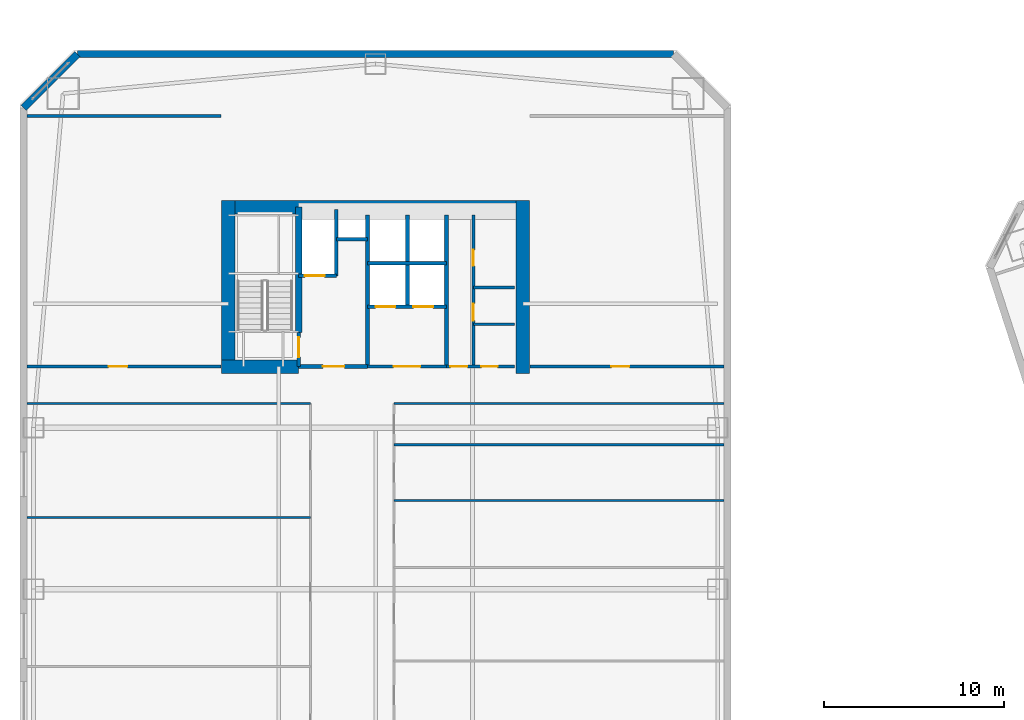
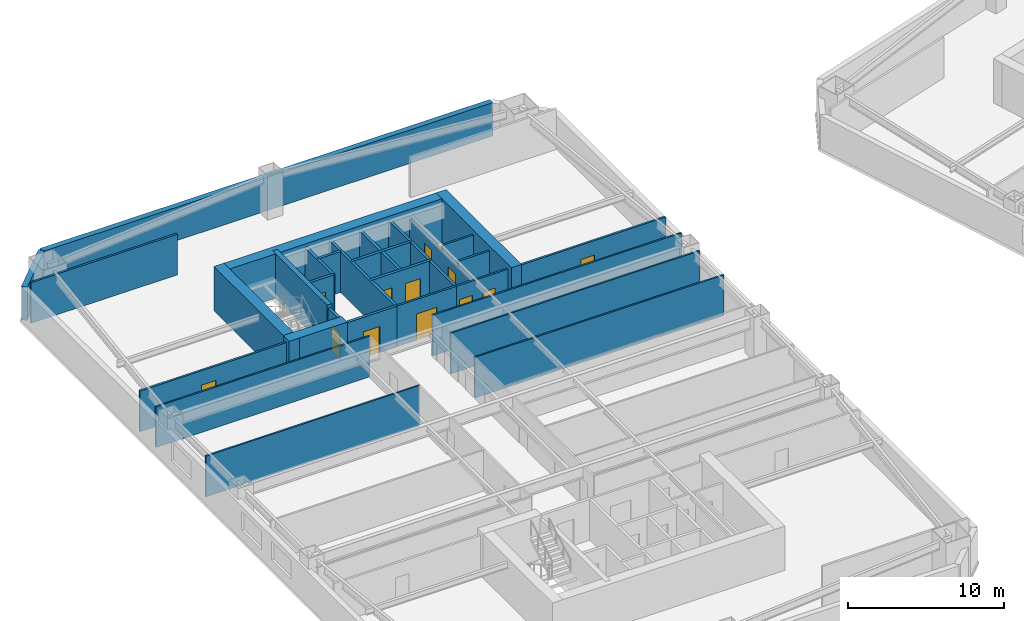
# One storey, part 12 of 19: 30 walls, 12 doors, 12 openings.
"""IFC4 building model written with IfcOpenShell, lengths in metres."""

from ifc_helpers import new_model, si_unit, direction, frame, frame_2d, origin, place, context, subcontext, project, spatial, rectangle, extrude, material, layer, layer_set, type_object, element, fill, save


model = new_model("IFC4")

# Units and contexts
model_context = context("Model", 3, precision=1e-05, world=origin(), true_north=direction((0.0, 1.0)))
body_context = subcontext(model_context, "Body", "Model", "MODEL_VIEW")
ifc_project = project(units=[si_unit("LENGTHUNIT", "METRE"), si_unit("AREAUNIT", "SQUARE_METRE"), si_unit("VOLUMEUNIT", "CUBIC_METRE"), si_unit("PLANEANGLEUNIT", "RADIAN"), si_unit("MASSUNIT", "GRAM", prefix="KILO")], contexts=[model_context])

# Site, building, storey
site_placement = place(None, origin())
site = spatial("IfcSite", under=ifc_project, at=site_placement, CompositionType="ELEMENT")
building_placement = place(site_placement, origin())
building = spatial("IfcBuilding", under=site, at=building_placement, Name="Qiaolan Cultural Towers", CompositionType="ELEMENT")
storey_placement = place(building_placement, frame((0.0, 0.0, 54.050048828125)))
storey = spatial("IfcBuildingStorey", under=building, at=storey_placement, Name="L12", CompositionType="ELEMENT", Elevation=54.050048828125)

# Walls
ifc_material_1 = material(Name="Concrete C50", Category="concrete")
ifc_layer_1 = layer(ifc_material_1, 0.35009765625)
ifc_layer_set_1 = layer_set([ifc_layer_1], Name="Concrete C50")
wall_type_1 = type_object("IfcWallType", Name="WL-CORE-350", PredefinedType="SHEAR", material=ifc_layer_set_1)
wall_1_placement = place(storey_placement, frame((25.719970703125, 48.300048828125, 0.0), z_axis=(0.0, 0.0, 1.0), x_axis=(0.0, 1.0, 0.0)))
element("IfcWall", 1, at=wall_1_placement, inside=storey, type_object=wall_type_1, Name="L12 T1-CN Stair Core Dividing Web", PredefinedType="SHEAR", context=body_context, shape_type="SweptSolid", body=[
    extrude(rectangle(XDim=6.97998046875, YDim=0.35009765625, at=frame_2d((3.489990234375, 0.0))), origin(), (0.0, 0.0, 1.0), 3.449951171875),
])
ifc_material_2 = material(Name="Concrete C60", Category="concrete")
ifc_layer_2 = layer(ifc_material_2, 0.75)
ifc_layer_set_2 = layer_set([ifc_layer_2], Name="Concrete C60")
wall_type_2 = type_object("IfcWallType", Name="WL-CORE-750", PredefinedType="SHEAR", material=ifc_layer_set_2)
wall_2_placement = place(storey_placement, frame((21.425048828125, 55.280029296875, 0.0), z_axis=(0.0, 0.0, 1.0), x_axis=(1.0, 0.0, 0.0)))
element("IfcWall", 2, at=wall_2_placement, inside=storey, type_object=wall_type_2, Name="L12 T1-CN Outer Core Shear Wall", PredefinedType="SHEAR", context=body_context, shape_type="SweptSolid", body=[
    extrude(rectangle(XDim=17.14990234375, YDim=0.75, at=frame_2d((8.574951171875, 0.0))), origin(), (0.0, 0.0, 1.0), 3.449951171875),
])
for number, where, z_axis, x_axis, name in (
    (3, (21.800048828125, 46.02490234375, 0.0), (0.0, 0.0, 1.0), (0.0, 1.0, 0.0), "L12 T1-CN West Core Shear Wall"),
    (4, (38.199951171875, 46.02490234375, 0.0), (0.0, 0.0, 1.0), (0.0, 1.0, 0.0), "L12 T1-CN East Core Shear Wall"),
):
    element("IfcWall", number, at=place(storey_placement, frame(where, z_axis=z_axis, x_axis=x_axis)), inside=storey, type_object=wall_type_2, Name=name, PredefinedType="SHEAR", context=body_context, shape_type="SweptSolid", body=[
        extrude(rectangle(XDim=9.630126953125, YDim=0.75, at=frame_2d((4.81494140625, 0.0))), origin(), (0.0, 0.0, 1.0), 3.449951171875),
    ])
wall_3_placement = place(storey_placement, frame((21.425048828125, 46.39990234375, 0.0), z_axis=(0.0, 0.0, 1.0), x_axis=(1.0, 0.0, 0.0)))
element("IfcWall", 5, at=wall_3_placement, inside=storey, type_object=wall_type_2, Name="L12 T1-CN Stair Front Shear Wall", PredefinedType="SHEAR", context=body_context, shape_type="SweptSolid", body=[
    extrude(rectangle(XDim=4.294921875, YDim=0.75, at=frame_2d((2.1474609375, 0.0))), origin(), (0.0, 0.0, 1.0), 3.449951171875),
])
ifc_material_3 = material(Name="Precast Concrete C50 Honed Stone Pier", Category="masonry")
ifc_layer_3 = layer(ifc_material_3, 0.39990234375)
ifc_layer_set_3 = layer_set([ifc_layer_3], Name="Precast Concrete C50 Honed Stone Pier")
wall_type_3 = type_object("IfcWallType", Name="WL-EXT-PIER-400", PredefinedType="SOLIDWALL", material=ifc_layer_set_3)
wall_4_placement = place(storey_placement, frame((10.39990234375, 60.800048828125, 0.0), z_axis=(0.0, 0.0, 1.0), x_axis=(0.707106781187, 0.707106781187, 0.0)))
element("IfcWall", 6, at=wall_4_placement, inside=storey, type_object=wall_type_3, Name="L12 West Tower Precast Pier Facade Wall F2", PredefinedType="SOLIDWALL", context=body_context, shape_type="SweptSolid", body=[
    extrude(rectangle(XDim=4.24267578125, YDim=0.39990234375, at=frame_2d((2.121337890625, 0.0))), origin(), (0.0, 0.0, 1.0), 2.60986328125),
])
wall_5_placement = place(storey_placement, frame((13.39990234375, 63.800048828125, 0.0), z_axis=(0.0, 0.0, 1.0), x_axis=(1.0, 0.0, 0.0)))
element("IfcWall", 7, at=wall_5_placement, inside=storey, type_object=wall_type_3, Name="L12 West Tower Precast Pier Facade Wall F3", PredefinedType="SOLIDWALL", context=body_context, shape_type="SweptSolid", body=[
    extrude(rectangle(XDim=33.2001953125, YDim=0.39990234375, at=frame_2d((16.60009765625, 0.0))), origin(), (0.0, 0.0, 1.0), 2.60986328125),
])

# Wall, opening, door
ifc_material_4 = material(Name="Concrete C35 Fire Wall", Category="concrete")
ifc_layer_4 = layer(ifc_material_4, 0.199951171875)
ifc_layer_set_4 = layer_set([ifc_layer_4], Name="Concrete C35 Fire Wall")
wall_type_4 = type_object("IfcWallType", Name="WL-FIRE-200", PredefinedType="PARTITIONING", material=ifc_layer_set_4)
wall_6_placement = place(storey_placement, frame((25.719970703125, 46.39990234375, 0.0), z_axis=(0.0, 0.0, 1.0), x_axis=(0.0, 1.0, 0.0)))
wall_6 = element("IfcWall", 8, at=wall_6_placement, inside=storey, type_object=wall_type_4, Name="L12 T1-CN Smokeproof Stair Entry Wall", PredefinedType="PARTITIONING", context=body_context, shape_type="SweptSolid", body=[
    extrude(rectangle(XDim=1.900146484375, YDim=0.199951171875, at=frame_2d((0.9501953125, 0.0))), origin(), (0.0, 0.0, 1.0), 3.175048828125),
])
opening_1_placement = place(wall_6_placement, frame((0.52001953125, 0.0, 0.0)))
opening_1 = element("IfcOpeningElement", 9, at=opening_1_placement, cuts=wall_6, Name="Opening FD-04", PredefinedType="OPENING", context=body_context, shape_type="SweptSolid", body=[
    extrude(rectangle(XDim=1.10009765625, YDim=2.050048828125, at=frame_2d((0.550048828125, 1.02490234375))), frame((0.0, 0.10986328125, 0.0), z_axis=(0.0, -1.0, 0.0), x_axis=(1.0, 0.0, 0.0)), (0.0, 0.0, 1.0), 0.219970703125),
])
ifc_material_5 = material(Name="Galvanized Steel Command Fire Door", Category="steel")
door_type_1 = type_object("IfcDoorType", Name="DR-FD90-1100", OperationType="NOTDEFINED", PredefinedType="DOOR", material=ifc_material_5)
door_1_placement = place(opening_1_placement, origin())
door_1 = element("IfcDoor", 10, at=door_1_placement, inside=storey, type_object=door_type_1, Name="L12 ST-W2 Smokeproof Stair Fire Door", OperationType="SINGLE_SWING_LEFT", OverallHeight=2.050048828125, OverallWidth=1.10009765625, PredefinedType="DOOR", context=body_context, shape_type="SweptSolid", body=[
    extrude(rectangle(XDim=1.10009765625, YDim=2.050048828125, at=frame_2d((0.550048828125, 1.02490234375))), frame((0.0, 0.02490234375, 0.0), z_axis=(0.0, -1.0, 0.0), x_axis=(1.0, 0.0, 0.0)), (0.0, 0.0, 1.0), 0.050048828125),
])
fill(opening_1, door_1)

# Wall
wall_7_placement = place(storey_placement, frame((29.550048828125, 46.39990234375, 0.0), z_axis=(0.0, 0.0, 1.0), x_axis=(0.0, 1.0, 0.0)))
element("IfcWall", 11, at=wall_7_placement, inside=storey, type_object=wall_type_4, Name="L12 T1-CN Firefighting Zone Wall", PredefinedType="PARTITIONING", context=body_context, shape_type="SweptSolid", body=[
    extrude(rectangle(XDim=8.43017578125, YDim=0.199951171875, at=frame_2d((4.215087890625, 0.0))), origin(), (0.0, 0.0, 1.0), 3.175048828125),
])

# Wall, opening, door
wall_8_placement = place(storey_placement, frame((25.719970703125, 46.39990234375, 0.0), z_axis=(0.0, 0.0, 1.0), x_axis=(1.0, 0.0, 0.0)))
wall_8 = element("IfcWall", 12, at=wall_8_placement, inside=storey, type_object=wall_type_4, Name="L12 T1-CN Firefighting Lobby Front Wall", PredefinedType="PARTITIONING", context=body_context, shape_type="SweptSolid", body=[
    extrude(rectangle(XDim=3.830078125, YDim=0.199951171875, at=frame_2d((1.9150390625, 0.0))), origin(), (0.0, 0.0, 1.0), 3.175048828125),
])
opening_2_placement = place(wall_8_placement, frame((1.35009765625, 0.0, 0.0)))
opening_2 = element("IfcOpeningElement", 13, at=opening_2_placement, cuts=wall_8, Name="Opening FD-03", PredefinedType="OPENING", context=body_context, shape_type="SweptSolid", body=[
    extrude(rectangle(XDim=1.199951171875, YDim=2.050048828125, at=frame_2d((0.60009765625, 1.02490234375))), frame((0.0, 0.10986328125, 0.0), z_axis=(0.0, -1.0, 0.0), x_axis=(1.0, 0.0, 0.0)), (0.0, 0.0, 1.0), 0.219970703125),
])
ifc_material_6 = material(Name="Galvanized Steel Smokeproof Lobby Fire Door", Category="steel")
door_type_2 = type_object("IfcDoorType", Name="DR-FD90-1200", OperationType="NOTDEFINED", PredefinedType="DOOR", material=ifc_material_6)
door_2_placement = place(opening_2_placement, origin())
door_2 = element("IfcDoor", 14, at=door_2_placement, inside=storey, type_object=door_type_2, Name="L12 FFL-W2 Firefighting Lobby Fire Door", OperationType="SINGLE_SWING_LEFT", OverallHeight=2.050048828125, OverallWidth=1.199951171875, PredefinedType="DOOR", context=body_context, shape_type="SweptSolid", body=[
    extrude(rectangle(XDim=1.199951171875, YDim=2.050048828125, at=frame_2d((0.60009765625, 1.02490234375))), frame((0.0, 0.02490234375, 0.0), z_axis=(0.0, -1.0, 0.0), x_axis=(1.0, 0.0, 0.0)), (0.0, 0.0, 1.0), 0.050048828125),
])
fill(opening_2, door_2)

wall_9_placement = place(storey_placement, frame((25.719970703125, 51.449951171875, 0.0), z_axis=(0.0, 0.0, 1.0), x_axis=(1.0, 0.0, 0.0)))
wall_9 = element("IfcWall", 15, at=wall_9_placement, inside=storey, type_object=wall_type_4, Name="L12 T1-CN Firefighting Shaft Front Wall", PredefinedType="PARTITIONING", context=body_context, shape_type="SweptSolid", body=[
    extrude(rectangle(XDim=2.10009765625, YDim=0.199951171875, at=frame_2d((1.050048828125, 0.0))), origin(), (0.0, 0.0, 1.0), 3.175048828125),
])
opening_3_placement = place(wall_9_placement, frame((0.35009765625, 0.0, 0.0)))
opening_3 = element("IfcOpeningElement", 16, at=opening_3_placement, cuts=wall_9, Name="Opening LD-01", PredefinedType="OPENING", context=body_context, shape_type="SweptSolid", body=[
    extrude(rectangle(XDim=1.10009765625, YDim=2.050048828125, at=frame_2d((0.550048828125, 1.02490234375))), frame((0.0, 0.10986328125, 0.0), z_axis=(0.0, -1.0, 0.0), x_axis=(1.0, 0.0, 0.0)), (0.0, 0.0, 1.0), 0.219970703125),
])
ifc_material_7 = material(Name="Brushed Stainless Steel S30408 Centre-Parting Lift Landing Door", Category="steel")
door_type_3 = type_object("IfcDoorType", Name="DR-LIFT-1100", OperationType="NOTDEFINED", PredefinedType="DOOR", material=ifc_material_7)
door_3_placement = place(opening_3_placement, origin())
door_3 = element("IfcDoor", 17, at=door_3_placement, inside=storey, type_object=door_type_3, Name="L12 FFL-W2 Firefighting Lift Landing Door", OperationType="DOUBLE_DOOR_SLIDING", OverallHeight=2.050048828125, OverallWidth=1.10009765625, PredefinedType="DOOR", context=body_context, shape_type="SweptSolid", body=[
    extrude(rectangle(XDim=1.10009765625, YDim=2.050048828125, at=frame_2d((0.550048828125, 1.02490234375))), frame((0.0, 0.02490234375, 0.0), z_axis=(0.0, -1.0, 0.0), x_axis=(1.0, 0.0, 0.0)), (0.0, 0.0, 1.0), 0.050048828125),
])
fill(opening_3, door_3)

# Walls
wall_10_placement = place(storey_placement, frame((27.820068359375, 51.449951171875, 0.0), z_axis=(0.0, 0.0, 1.0), x_axis=(0.0, 1.0, 0.0)))
element("IfcWall", 18, at=wall_10_placement, inside=storey, type_object=wall_type_4, Name="L12 T1-CN Firefighting Hoistway East Wall", PredefinedType="PARTITIONING", context=body_context, shape_type="SweptSolid", body=[
    extrude(rectangle(XDim=3.699951171875, YDim=0.199951171875, at=frame_2d((1.85009765625, 0.0))), origin(), (0.0, 0.0, 1.0), 3.175048828125),
])
wall_11_placement = place(storey_placement, frame((27.820068359375, 53.47998046875, 0.0), z_axis=(0.0, 0.0, 1.0), x_axis=(1.0, 0.0, 0.0)))
element("IfcWall", 19, at=wall_11_placement, inside=storey, type_object=wall_type_4, Name="L12 T1-CN Pressurization Shaft Front Wall", PredefinedType="PARTITIONING", context=body_context, shape_type="SweptSolid", body=[
    extrude(rectangle(XDim=1.72998046875, YDim=0.199951171875, at=frame_2d((0.864990234375, 0.0))), origin(), (0.0, 0.0, 1.0), 3.175048828125),
])
wall_12_placement = place(storey_placement, frame((33.949951171875, 46.39990234375, 0.0), z_axis=(0.0, 0.0, 1.0), x_axis=(0.0, 1.0, 0.0)))
element("IfcWall", 20, at=wall_12_placement, inside=storey, type_object=wall_type_4, Name="L12 T1-CN Lift Core East Wall", PredefinedType="PARTITIONING", context=body_context, shape_type="SweptSolid", body=[
    extrude(rectangle(XDim=8.43017578125, YDim=0.199951171875, at=frame_2d((4.215087890625, 0.0))), origin(), (0.0, 0.0, 1.0), 3.175048828125),
])

# Wall, openings, doors
wall_13_placement = place(storey_placement, frame((29.550048828125, 49.719970703125, 0.0), z_axis=(0.0, 0.0, 1.0), x_axis=(1.0, 0.0, 0.0)))
wall_13 = element("IfcWall", 21, at=wall_13_placement, inside=storey, type_object=wall_type_4, Name="L12 T1-CN Passenger Lift Shaft Front Wall", PredefinedType="PARTITIONING", context=body_context, shape_type="SweptSolid", body=[
    extrude(rectangle(XDim=4.39990234375, YDim=0.199951171875, at=frame_2d((2.199951171875, 0.0))), origin(), (0.0, 0.0, 1.0), 3.175048828125),
])
opening_4_placement = place(wall_13_placement, frame((0.449951171875, 0.0, 0.0)))
opening_4 = element("IfcOpeningElement", 22, at=opening_4_placement, cuts=wall_13, Name="Opening LD-01", PredefinedType="OPENING", context=body_context, shape_type="SweptSolid", body=[
    extrude(rectangle(XDim=1.10009765625, YDim=2.050048828125, at=frame_2d((0.550048828125, 1.02490234375))), frame((0.0, 0.10986328125, 0.0), z_axis=(0.0, -1.0, 0.0), x_axis=(1.0, 0.0, 0.0)), (0.0, 0.0, 1.0), 0.219970703125),
])
opening_5_placement = place(wall_13_placement, frame((2.550048828125, 0.0, 0.0)))
opening_5 = element("IfcOpeningElement", 23, at=opening_5_placement, cuts=wall_13, Name="Opening LD-01", PredefinedType="OPENING", context=body_context, shape_type="SweptSolid", body=[
    extrude(rectangle(XDim=1.10009765625, YDim=2.050048828125, at=frame_2d((0.550048828125, 1.02490234375))), frame((0.0, 0.10986328125, 0.0), z_axis=(0.0, -1.0, 0.0), x_axis=(1.0, 0.0, 0.0)), (0.0, 0.0, 1.0), 0.219970703125),
])
door_4_placement = place(opening_4_placement, origin())
door_4 = element("IfcDoor", 24, at=door_4_placement, inside=storey, type_object=door_type_3, Name="L12 Passenger Lift 1 Landing Door", OperationType="DOUBLE_DOOR_SLIDING", OverallHeight=2.050048828125, OverallWidth=1.10009765625, PredefinedType="DOOR", context=body_context, shape_type="SweptSolid", body=[
    extrude(rectangle(XDim=1.10009765625, YDim=2.050048828125, at=frame_2d((0.550048828125, 1.02490234375))), frame((0.0, 0.02490234375, 0.0), z_axis=(0.0, -1.0, 0.0), x_axis=(1.0, 0.0, 0.0)), (0.0, 0.0, 1.0), 0.050048828125),
])
fill(opening_4, door_4)
door_5_placement = place(opening_5_placement, origin())
door_5 = element("IfcDoor", 25, at=door_5_placement, inside=storey, type_object=door_type_3, Name="L12 Passenger Lift 2 Landing Door", OperationType="DOUBLE_DOOR_SLIDING", OverallHeight=2.050048828125, OverallWidth=1.10009765625, PredefinedType="DOOR", context=body_context, shape_type="SweptSolid", body=[
    extrude(rectangle(XDim=1.10009765625, YDim=2.050048828125, at=frame_2d((0.550048828125, 1.02490234375))), frame((0.0, 0.02490234375, 0.0), z_axis=(0.0, -1.0, 0.0), x_axis=(1.0, 0.0, 0.0)), (0.0, 0.0, 1.0), 0.050048828125),
])
fill(opening_5, door_5)

# Walls
wall_14_placement = place(storey_placement, frame((31.780029296875, 49.719970703125, 0.0), z_axis=(0.0, 0.0, 1.0), x_axis=(0.0, 1.0, 0.0)))
element("IfcWall", 26, at=wall_14_placement, inside=storey, type_object=wall_type_4, Name="L12 T1-CN Lift Shaft Divider Wall", PredefinedType="PARTITIONING", context=body_context, shape_type="SweptSolid", body=[
    extrude(rectangle(XDim=5.110107421875, YDim=0.199951171875, at=frame_2d((2.55517578125, 0.0))), origin(), (0.0, 0.0, 1.0), 3.175048828125),
])
wall_15_placement = place(storey_placement, frame((29.550048828125, 52.14990234375, 0.0), z_axis=(0.0, 0.0, 1.0), x_axis=(1.0, 0.0, 0.0)))
element("IfcWall", 27, at=wall_15_placement, inside=storey, type_object=wall_type_4, Name="L12 T1-CN Passenger Lift Shaft Back Wall", PredefinedType="PARTITIONING", context=body_context, shape_type="SweptSolid", body=[
    extrude(rectangle(XDim=4.39990234375, YDim=0.199951171875, at=frame_2d((2.199951171875, 0.0))), origin(), (0.0, 0.0, 1.0), 3.175048828125),
])
ifc_material_8 = material(Name="Gypsum Stud Acoustic Partition", Category="gypsum")
ifc_layer_5 = layer(ifc_material_8, 0.1201171875)
ifc_layer_set_5 = layer_set([ifc_layer_5], Name="Gypsum Stud Acoustic Partition")
wall_type_5 = type_object("IfcWallType", Name="WL-PART-120", PredefinedType="PARTITIONING", material=ifc_layer_set_5)
wall_16_placement = place(storey_placement, frame((10.60009765625, 44.35009765625, 0.0), z_axis=(0.0, 0.0, 1.0), x_axis=(1.0, 0.0, 0.0)))
element("IfcWall", 28, at=wall_16_placement, inside=storey, type_object=wall_type_5, Name="L12 T1 North Corridor Left Wall", PredefinedType="PARTITIONING", context=body_context, shape_type="SweptSolid", body=[
    extrude(rectangle(XDim=15.77490234375, YDim=0.1201171875, at=frame_2d((7.887451171875, 0.0))), origin(), (0.0, 0.0, 1.0), 3.175048828125),
])
wall_17_placement = place(storey_placement, frame((31.02490234375, 44.35009765625, 0.0), z_axis=(0.0, 0.0, 1.0), x_axis=(1.0, 0.0, 0.0)))
element("IfcWall", 29, at=wall_17_placement, inside=storey, type_object=wall_type_5, Name="L12 T1 North Corridor Right Wall", PredefinedType="PARTITIONING", context=body_context, shape_type="SweptSolid", body=[
    extrude(rectangle(XDim=18.375, YDim=0.1201171875, at=frame_2d((9.1875, 0.0))), origin(), (0.0, 0.0, 1.0), 3.175048828125),
])
wall_18_placement = place(storey_placement, frame((10.60009765625, 38.0, 0.0), z_axis=(0.0, 0.0, 1.0), x_axis=(1.0, 0.0, 0.0)))
element("IfcWall", 30, at=wall_18_placement, inside=storey, type_object=wall_type_5, Name="L12 T1 West Partition 2", PredefinedType="PARTITIONING", context=body_context, shape_type="SweptSolid", body=[
    extrude(rectangle(XDim=15.77490234375, YDim=0.1201171875, at=frame_2d((7.887451171875, 0.0))), origin(), (0.0, 0.0, 1.0), 3.175048828125),
])
for number, where, z_axis, x_axis, name in (
    (31, (31.02490234375, 38.93603515625, 0.0), (0.0, 0.0, 1.0), (1.0, 0.0, 0.0), "L12 T1 East Partition 4"),
    (32, (31.02490234375, 42.041015625, 0.0), (0.0, 0.0, 1.0), (1.0, 0.0, 0.0), "L12 T1 East Partition 5"),
):
    element("IfcWall", number, at=place(storey_placement, frame(where, z_axis=z_axis, x_axis=x_axis)), inside=storey, type_object=wall_type_5, Name=name, PredefinedType="PARTITIONING", context=body_context, shape_type="SweptSolid", body=[
        extrude(rectangle(XDim=18.375, YDim=0.1201171875, at=frame_2d((9.1875, 0.0))), origin(), (0.0, 0.0, 1.0), 3.175048828125),
    ])

# Wall, opening, door
ifc_material_9 = material(Name="Autoclaved Aerated Concrete Block B06", Category="concrete")
ifc_layer_6 = layer(ifc_material_9, 0.14990234375)
ifc_layer_set_6 = layer_set([ifc_layer_6], Name="Autoclaved Aerated Concrete Block B06")
wall_type_6 = type_object("IfcWallType", Name="WL-PART-150", PredefinedType="PARTITIONING", material=ifc_layer_set_6)
wall_19_placement = place(storey_placement, frame((29.550048828125, 46.39990234375, 0.0), z_axis=(0.0, 0.0, 1.0), x_axis=(1.0, 0.0, 0.0)))
wall_19 = element("IfcWall", 33, at=wall_19_placement, inside=storey, type_object=wall_type_6, Name="L12 T1-CN Passenger Lift Lobby Front Wall", PredefinedType="PARTITIONING", context=body_context, shape_type="SweptSolid", body=[
    extrude(rectangle(XDim=4.39990234375, YDim=0.14990234375, at=frame_2d((2.199951171875, 0.0))), origin(), (0.0, 0.0, 1.0), 3.175048828125),
])
opening_6_placement = place(wall_19_placement, frame((1.449951171875, 0.0, 0.0)))
opening_6 = element("IfcOpeningElement", 34, at=opening_6_placement, cuts=wall_19, Name="Opening FD-05", PredefinedType="OPENING", context=body_context, shape_type="SweptSolid", body=[
    extrude(rectangle(XDim=1.5, YDim=2.050048828125, at=frame_2d((0.75, 1.02490234375))), frame((0.0, 0.0849609375, 0.0), z_axis=(0.0, -1.0, 0.0), x_axis=(1.0, 0.0, 0.0)), (0.0, 0.0, 1.0), 0.169921875),
])
ifc_material_10 = material(Name="Painted Steel Lift Lobby Fire Door", Category="steel")
door_type_4 = type_object("IfcDoorType", Name="DR-FD60-1500", OperationType="NOTDEFINED", PredefinedType="DOOR", material=ifc_material_10)
door_6_placement = place(opening_6_placement, origin())
door_6 = element("IfcDoor", 35, at=door_6_placement, inside=storey, type_object=door_type_4, Name="L12 Passenger Lift Lobby Entrance", OperationType="SINGLE_SWING_LEFT", OverallHeight=2.050048828125, OverallWidth=1.5, PredefinedType="DOOR", context=body_context, shape_type="SweptSolid", body=[
    extrude(rectangle(XDim=1.5, YDim=2.050048828125, at=frame_2d((0.75, 1.02490234375))), frame((0.0, 0.02490234375, 0.0), z_axis=(0.0, -1.0, 0.0), x_axis=(1.0, 0.0, 0.0)), (0.0, 0.0, 1.0), 0.050048828125),
])
fill(opening_6, door_6)

# Wall, openings, doors
wall_20_placement = place(storey_placement, frame((33.949951171875, 46.39990234375, 0.0), z_axis=(0.0, 0.0, 1.0), x_axis=(1.0, 0.0, 0.0)))
wall_20 = element("IfcWall", 36, at=wall_20_placement, inside=storey, type_object=wall_type_6, Name="L12 T1-CN Sanitary Core Front Wall", PredefinedType="PARTITIONING", context=body_context, shape_type="SweptSolid", body=[
    extrude(rectangle(XDim=3.800048828125, YDim=0.14990234375, at=frame_2d((1.89990234375, 0.0))), origin(), (0.0, 0.0, 1.0), 3.175048828125),
])
opening_7_placement = place(wall_20_placement, frame((0.219970703125, 0.0, 0.0)))
opening_7 = element("IfcOpeningElement", 37, at=opening_7_placement, cuts=wall_20, Name="Opening ID-05", PredefinedType="OPENING", context=body_context, shape_type="SweptSolid", body=[
    extrude(rectangle(XDim=0.949951171875, YDim=2.050048828125, at=frame_2d((0.47509765625, 1.02490234375))), frame((0.0, 0.0849609375, 0.0), z_axis=(0.0, -1.0, 0.0), x_axis=(1.0, 0.0, 0.0)), (0.0, 0.0, 1.0), 0.169921875),
])
opening_8_placement = place(wall_20_placement, frame((1.949951171875, 0.0, 0.0)))
opening_8 = element("IfcOpeningElement", 38, at=opening_8_placement, cuts=wall_20, Name="Opening ID-06", PredefinedType="OPENING", context=body_context, shape_type="SweptSolid", body=[
    extrude(rectangle(XDim=0.89990234375, YDim=2.050048828125, at=frame_2d((0.449951171875, 1.02490234375))), frame((0.0, 0.0849609375, 0.0), z_axis=(0.0, -1.0, 0.0), x_axis=(1.0, 0.0, 0.0)), (0.0, 0.0, 1.0), 0.169921875),
])
ifc_material_11 = material(Name="Fire-Rated Laminate Core Service Door", Category="timber")
door_type_5 = type_object("IfcDoorType", Name="DR-INT-900", OperationType="NOTDEFINED", PredefinedType="DOOR", material=ifc_material_11)
door_7_placement = place(opening_8_placement, origin())
door_7 = element("IfcDoor", 39, at=door_7_placement, inside=storey, type_object=door_type_5, Name="L12 Core Tea Pantry Door", OperationType="SINGLE_SWING_RIGHT", OverallHeight=2.050048828125, OverallWidth=0.89990234375, PredefinedType="DOOR", context=body_context, shape_type="SweptSolid", body=[
    extrude(rectangle(XDim=0.89990234375, YDim=2.050048828125, at=frame_2d((0.449951171875, 1.02490234375))), frame((0.0, 0.02490234375, 0.0), z_axis=(0.0, -1.0, 0.0), x_axis=(1.0, 0.0, 0.0)), (0.0, 0.0, 1.0), 0.050048828125),
])
fill(opening_8, door_7)
ifc_material_12 = material(Name="Fire-Rated Laminate Accessible Core Door", Category="timber")
door_type_6 = type_object("IfcDoorType", Name="DR-INT-950", OperationType="NOTDEFINED", PredefinedType="DOOR", material=ifc_material_12)
door_8_placement = place(opening_7_placement, origin())
door_8 = element("IfcDoor", 40, at=door_8_placement, inside=storey, type_object=door_type_6, Name="L12 Sanitary Passage Door", OperationType="SINGLE_SWING_LEFT", OverallHeight=2.050048828125, OverallWidth=0.949951171875, PredefinedType="DOOR", context=body_context, shape_type="SweptSolid", body=[
    extrude(rectangle(XDim=0.949951171875, YDim=2.050048828125, at=frame_2d((0.47509765625, 1.02490234375))), frame((0.0, 0.02490234375, 0.0), z_axis=(0.0, -1.0, 0.0), x_axis=(1.0, 0.0, 0.0)), (0.0, 0.0, 1.0), 0.050048828125),
])
fill(opening_7, door_8)

wall_21_placement = place(storey_placement, frame((35.449951171875, 46.39990234375, 0.0), z_axis=(0.0, 0.0, 1.0), x_axis=(0.0, 1.0, 0.0)))
wall_21 = element("IfcWall", 41, at=wall_21_placement, inside=storey, type_object=wall_type_6, Name="L12 T1-CN Sanitary Corridor Wall", PredefinedType="PARTITIONING", context=body_context, shape_type="SweptSolid", body=[
    extrude(rectangle(XDim=8.43017578125, YDim=0.14990234375, at=frame_2d((4.215087890625, 0.0))), origin(), (0.0, 0.0, 1.0), 2.764892578125),
])
opening_9_placement = place(wall_21_placement, frame((2.550048828125, 0.0, 0.0)))
opening_9 = element("IfcOpeningElement", 42, at=opening_9_placement, cuts=wall_21, Name="Opening ID-05", PredefinedType="OPENING", context=body_context, shape_type="SweptSolid", body=[
    extrude(rectangle(XDim=0.949951171875, YDim=2.050048828125, at=frame_2d((0.47509765625, 1.02490234375))), frame((0.0, 0.0849609375, 0.0), z_axis=(0.0, -1.0, 0.0), x_axis=(1.0, 0.0, 0.0)), (0.0, 0.0, 1.0), 0.169921875),
])
opening_10_placement = place(wall_21_placement, frame((5.60009765625, 0.0, 0.0)))
opening_10 = element("IfcOpeningElement", 43, at=opening_10_placement, cuts=wall_21, Name="Opening ID-06", PredefinedType="OPENING", context=body_context, shape_type="SweptSolid", body=[
    extrude(rectangle(XDim=0.89990234375, YDim=2.050048828125, at=frame_2d((0.449951171875, 1.02490234375))), frame((0.0, 0.0849609375, 0.0), z_axis=(0.0, -1.0, 0.0), x_axis=(1.0, 0.0, 0.0)), (0.0, 0.0, 1.0), 0.169921875),
])
door_9_placement = place(opening_10_placement, origin())
door_9 = element("IfcDoor", 44, at=door_9_placement, inside=storey, type_object=door_type_5, Name="L12 Staff Restroom Door", OperationType="SINGLE_SWING_RIGHT", OverallHeight=2.050048828125, OverallWidth=0.89990234375, PredefinedType="DOOR", context=body_context, shape_type="SweptSolid", body=[
    extrude(rectangle(XDim=0.89990234375, YDim=2.050048828125, at=frame_2d((0.449951171875, 1.02490234375))), frame((0.0, 0.02490234375, 0.0), z_axis=(0.0, -1.0, 0.0), x_axis=(1.0, 0.0, 0.0)), (0.0, 0.0, 1.0), 0.050048828125),
])
fill(opening_10, door_9)
door_10_placement = place(opening_9_placement, origin())
door_10 = element("IfcDoor", 45, at=door_10_placement, inside=storey, type_object=door_type_6, Name="L12 Accessible Washroom Door", OperationType="SINGLE_SWING_LEFT", OverallHeight=2.050048828125, OverallWidth=0.949951171875, PredefinedType="DOOR", context=body_context, shape_type="SweptSolid", body=[
    extrude(rectangle(XDim=0.949951171875, YDim=2.050048828125, at=frame_2d((0.47509765625, 1.02490234375))), frame((0.0, 0.02490234375, 0.0), z_axis=(0.0, -1.0, 0.0), x_axis=(1.0, 0.0, 0.0)), (0.0, 0.0, 1.0), 0.050048828125),
])
fill(opening_9, door_10)

# Walls
for number, where, z_axis, x_axis, name in (
    (46, (35.449951171875, 50.800048828125, 0.0), (0.0, 0.0, 1.0), (1.0, 0.0, 0.0), "L12 T1-CN Restroom Split Wall"),
    (47, (35.449951171875, 48.75, 0.0), (0.0, 0.0, 1.0), (1.0, 0.0, 0.0), "L12 T1-CN Core Pantry Wall"),
):
    element("IfcWall", number, at=place(storey_placement, frame(where, z_axis=z_axis, x_axis=x_axis)), inside=storey, type_object=wall_type_6, Name=name, PredefinedType="PARTITIONING", context=body_context, shape_type="SweptSolid", body=[
        extrude(rectangle(XDim=2.300048828125, YDim=0.14990234375, at=frame_2d((1.14990234375, 0.0))), origin(), (0.0, 0.0, 1.0), 3.175048828125),
    ])
wall_22_placement = place(storey_placement, frame((10.60009765625, 60.35009765625, 0.0), z_axis=(0.0, 0.0, 1.0), x_axis=(1.0, 0.0, 0.0)))
element("IfcWall", 48, at=wall_22_placement, inside=storey, type_object=wall_type_6, Name="L12 T1 Flank Wall FLK-NW", PredefinedType="PARTITIONING", context=body_context, shape_type="SweptSolid", body=[
    extrude(rectangle(XDim=10.7998046875, YDim=0.14990234375, at=frame_2d((5.39990234375, 0.0))), origin(), (0.0, 0.0, 1.0), 3.175048828125),
])

# Wall, opening, door
wall_23_placement = place(storey_placement, frame((10.60009765625, 46.39990234375, 0.0), z_axis=(0.0, 0.0, 1.0), x_axis=(1.0, 0.0, 0.0)))
wall_23 = element("IfcWall", 49, at=wall_23_placement, inside=storey, type_object=wall_type_6, Name="L12 T1 Flank Front FLK-NW", PredefinedType="PARTITIONING", context=body_context, shape_type="SweptSolid", body=[
    extrude(rectangle(XDim=10.7998046875, YDim=0.14990234375, at=frame_2d((5.39990234375, 0.0))), origin(), (0.0, 0.0, 1.0), 3.175048828125),
])
opening_11_placement = place(wall_23_placement, frame((4.535888671875, 0.0, 0.0)))
opening_11 = element("IfcOpeningElement", 50, at=opening_11_placement, cuts=wall_23, Name="Opening ID-07", PredefinedType="OPENING", context=body_context, shape_type="SweptSolid", body=[
    extrude(rectangle(XDim=1.050048828125, YDim=2.050048828125, at=frame_2d((0.52490234375, 1.02490234375))), frame((0.0, 0.0849609375, 0.0), z_axis=(0.0, -1.0, 0.0), x_axis=(1.0, 0.0, 0.0)), (0.0, 0.0, 1.0), 0.169921875),
])
ifc_material_13 = material(Name="Oak Veneer Consultation Door", Category="timber")
door_type_7 = type_object("IfcDoorType", Name="DR-INT-1050", OperationType="NOTDEFINED", PredefinedType="DOOR", material=ifc_material_13)
door_11_placement = place(opening_11_placement, origin())
door_11 = element("IfcDoor", 51, at=door_11_placement, inside=storey, type_object=door_type_7, Name="L12 T1 Corner Studio Door", OperationType="SINGLE_SWING_LEFT", OverallHeight=2.050048828125, OverallWidth=1.050048828125, PredefinedType="DOOR", context=body_context, shape_type="SweptSolid", body=[
    extrude(rectangle(XDim=1.050048828125, YDim=2.050048828125, at=frame_2d((0.52490234375, 1.02490234375))), frame((0.0, 0.02490234375, 0.0), z_axis=(0.0, -1.0, 0.0), x_axis=(1.0, 0.0, 0.0)), (0.0, 0.0, 1.0), 0.050048828125),
])
fill(opening_11, door_11)

wall_24_placement = place(storey_placement, frame((38.60009765625, 46.39990234375, 0.0), z_axis=(0.0, 0.0, 1.0), x_axis=(1.0, 0.0, 0.0)))
wall_24 = element("IfcWall", 52, at=wall_24_placement, inside=storey, type_object=wall_type_6, Name="L12 T1 Flank Front FLK-NE", PredefinedType="PARTITIONING", context=body_context, shape_type="SweptSolid", body=[
    extrude(rectangle(XDim=10.7998046875, YDim=0.14990234375, at=frame_2d((5.39990234375, 0.0))), origin(), (0.0, 0.0, 1.0), 3.175048828125),
])
opening_12_placement = place(wall_24_placement, frame((4.535888671875, 0.0, 0.0)))
opening_12 = element("IfcOpeningElement", 53, at=opening_12_placement, cuts=wall_24, Name="Opening ID-04", PredefinedType="OPENING", context=body_context, shape_type="SweptSolid", body=[
    extrude(rectangle(XDim=1.0, YDim=2.050048828125, at=frame_2d((0.5, 1.02490234375))), frame((0.0, 0.0849609375, 0.0), z_axis=(0.0, -1.0, 0.0), x_axis=(1.0, 0.0, 0.0)), (0.0, 0.0, 1.0), 0.169921875),
])
ifc_material_14 = material(Name="Oak Veneer Acoustic Office Door", Category="timber")
door_type_8 = type_object("IfcDoorType", Name="DR-INT-1000", OperationType="NOTDEFINED", PredefinedType="DOOR", material=ifc_material_14)
door_12_placement = place(opening_12_placement, origin())
door_12 = element("IfcDoor", 54, at=door_12_placement, inside=storey, type_object=door_type_8, Name="L12 T1 Corner Studio Door", OperationType="SINGLE_SWING_LEFT", OverallHeight=2.050048828125, OverallWidth=1.0, PredefinedType="DOOR", context=body_context, shape_type="SweptSolid", body=[
    extrude(rectangle(XDim=1.0, YDim=2.050048828125, at=frame_2d((0.5, 1.02490234375))), frame((0.0, 0.02490234375, 0.0), z_axis=(0.0, -1.0, 0.0), x_axis=(1.0, 0.0, 0.0)), (0.0, 0.0, 1.0), 0.050048828125),
])
fill(opening_12, door_12)

save(model, "model.ifc")
